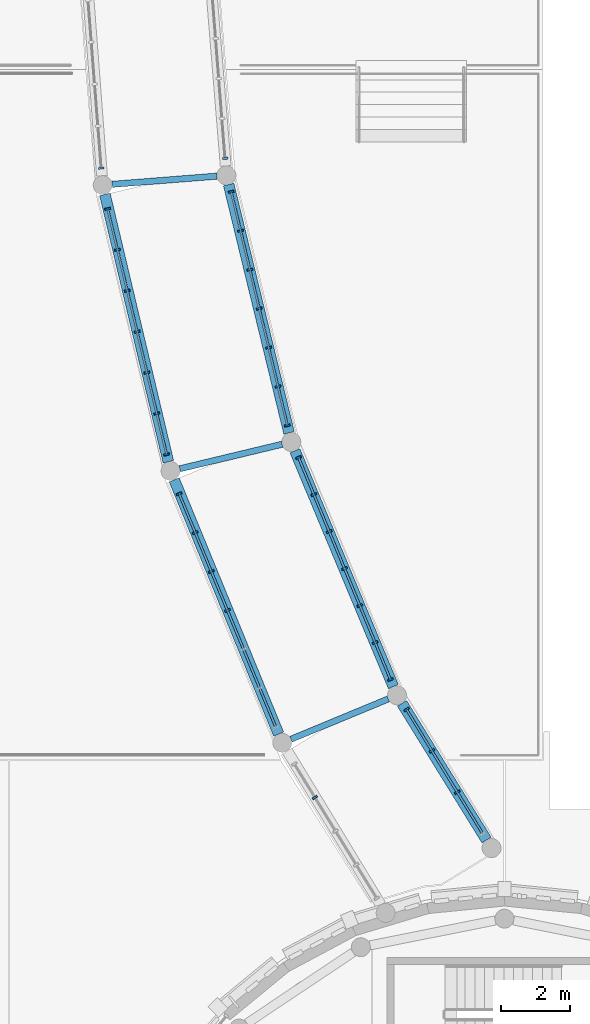
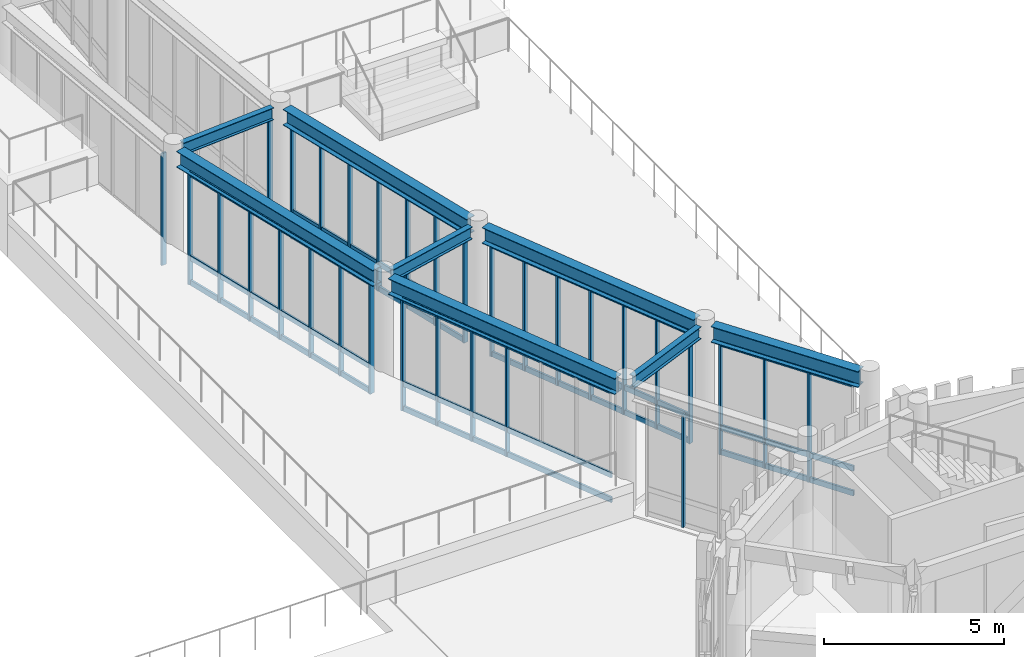
# One storey, part 27 of 94: 46 members, 8 beams, 8 elements without a shape of their own.
"""IFC4 building model written with IfcOpenShell, lengths in metres."""

from ifc_helpers import new_model, si_unit, direction, frame, origin, origin_2d, place, context, subcontext, project, spatial, rectangle, i_section, extrude, material, layer, layer_set, material_profile, profile_set, type_object, element, aggregate, save


model = new_model("IFC4")

# Units and contexts
model_context = context("Model", 3, precision=1e-05, world=origin(), true_north=direction((0.0, 1.0)))
body_context = subcontext(model_context, "Body", "Model", "MODEL_VIEW")
ifc_project = project(units=[si_unit("LENGTHUNIT", "METRE"), si_unit("AREAUNIT", "SQUARE_METRE"), si_unit("VOLUMEUNIT", "CUBIC_METRE"), si_unit("PLANEANGLEUNIT", "RADIAN"), si_unit("MASSUNIT", "GRAM", prefix="KILO")], contexts=[model_context])

# Site, building, storey
site_placement = place(None, origin())
site = spatial("IfcSite", under=ifc_project, at=site_placement, CompositionType="ELEMENT")
building_placement = place(site_placement, origin())
building = spatial("IfcBuilding", under=site, at=building_placement, Name="Aldenvaro Health Centre", CompositionType="ELEMENT")
storey_placement = place(building_placement, origin())
storey = spatial("IfcBuildingStorey", under=building, at=storey_placement, Name="L00", CompositionType="ELEMENT", Elevation=0.0)

# Beams
ifc_material_1 = material(Name="Steel ASTM A992 Grade 50", Category="steel")
ifc_material_profile_1 = material_profile(ifc_material_1, i_section(OverallWidth=0.180908203125, OverallDepth=0.4169921875, WebThickness=0.010986328125, FlangeThickness=0.018310546875, at=origin_2d()), Name="W16X57", Category="steel")
ifc_profile_set_1 = profile_set([ifc_material_profile_1], Name="Steel ASTM A992 Grade 50")
beam_type_1 = type_object("IfcBeamType", Name="BM-ST-W16E", PredefinedType="JOIST", material=ifc_profile_set_1)
beam_1_placement = place(storey_placement, frame((146.166015625, 50.906005859375, 4.135986328125), z_axis=(-0.996948526461, -0.078061742154, 0.0), x_axis=(0.078061742154, -0.996948526461, 0.0)))
element("IfcBeam", 1, at=beam_1_placement, inside=storey, type_object=beam_type_1, Name="East Curved Garden Colonnade Arc 5 L00 cross beam 2", PredefinedType="JOIST", context=body_context, shape_type="SweptSolid", body=[
    extrude(i_section(OverallWidth=0.180908203125, OverallDepth=0.4169921875, WebThickness=0.010986328125, FlangeThickness=0.018310546875, at=origin_2d()), origin(), (0.0, 0.0, 1.0), 3.04931640625),
])
beam_2_placement = place(storey_placement, frame((148.052978515625, 43.133056640625, 4.135986328125), z_axis=(-0.972364775804, -0.23346679159, 0.0), x_axis=(0.23346679159, -0.972364775804, 0.0)))
element("IfcBeam", 2, at=beam_2_placement, inside=storey, type_object=beam_type_1, Name="East Curved Garden Colonnade Arc 6 L00 cross beam 2", PredefinedType="JOIST", context=body_context, shape_type="SweptSolid", body=[
    extrude(i_section(OverallWidth=0.180908203125, OverallDepth=0.4169921875, WebThickness=0.010986328125, FlangeThickness=0.018310546875, at=origin_2d()), origin(), (0.0, 0.0, 1.0), 3.05029296875),
])
beam_3_placement = place(storey_placement, frame((151.131103515625, 35.7490234375, 4.135986328125), z_axis=(-0.923802186676, -0.382870108382, 0.0), x_axis=(0.382870108382, -0.923802186676, 0.0)))
element("IfcBeam", 3, at=beam_3_placement, inside=storey, type_object=beam_type_1, Name="East Curved Garden Colonnade Arc 7 L00 cross beam 2", PredefinedType="JOIST", context=body_context, shape_type="SweptSolid", body=[
    extrude(i_section(OverallWidth=0.180908203125, OverallDepth=0.4169921875, WebThickness=0.010986328125, FlangeThickness=0.018310546875, at=origin_2d()), origin(), (0.0, 0.0, 1.0), 3.050537109375),
])
ifc_material_profile_2 = material_profile(ifc_material_1, i_section(OverallWidth=0.31201171875, OverallDepth=0.54296875, WebThickness=0.0126953125, FlangeThickness=0.020263671875, at=origin_2d()), Name="W21X101", Category="steel")
ifc_profile_set_2 = profile_set([ifc_material_profile_2], Name="Steel ASTM A992 Grade 50")
beam_type_2 = type_object("IfcBeamType", Name="BM-ST-W21E", PredefinedType="BEAM", material=ifc_profile_set_2)
beam_4_placement = place(storey_placement, frame((146.5048828125, 50.660888671875, 4.073974609375), z_axis=(0.236279241617, -0.971685195925, 0.0), x_axis=(0.971685195925, 0.236279241617, 0.0)))
element("IfcBeam", 4, at=beam_4_placement, inside=storey, type_object=beam_type_2, Name="East Curved Garden Colonnade Arc 6 L00 girder L-1", PredefinedType="BEAM", context=body_context, shape_type="SweptSolid", body=[
    extrude(i_section(OverallWidth=0.31201171875, OverallDepth=0.54296875, WebThickness=0.0126953125, FlangeThickness=0.020263671875, at=origin_2d()), origin(), (0.0, 0.0, 1.0), 7.406494140625),
])
beam_5_placement = place(storey_placement, frame((142.916015625, 50.3779296875, 4.073974609375), z_axis=(0.230925962905, -0.972971325197, 0.0), x_axis=(0.972971325197, 0.230925962905, 0.0)))
element("IfcBeam", 5, at=beam_5_placement, inside=storey, type_object=beam_type_2, Name="East Curved Garden Colonnade Arc 6 L00 girder R-1", PredefinedType="BEAM", context=body_context, shape_type="SweptSolid", body=[
    extrude(i_section(OverallWidth=0.31201171875, OverallDepth=0.54296875, WebThickness=0.0126953125, FlangeThickness=0.020263671875, at=origin_2d()), origin(), (0.0, 0.0, 1.0), 7.96826171875),
])
beam_6_placement = place(storey_placement, frame((148.426025390625, 42.943115234375, 4.073974609375), z_axis=(0.385193411175, -0.922835866223, 0.0), x_axis=(0.922835866223, 0.385193411175, 0.0)))
element("IfcBeam", 6, at=beam_6_placement, inside=storey, type_object=beam_type_2, Name="East Curved Garden Colonnade Arc 7 L00 girder L-1", PredefinedType="BEAM", context=body_context, shape_type="SweptSolid", body=[
    extrude(i_section(OverallWidth=0.31201171875, OverallDepth=0.54296875, WebThickness=0.0126953125, FlangeThickness=0.020263671875, at=origin_2d()), origin(), (0.0, 0.0, 1.0), 7.40673828125),
])
beam_7_placement = place(storey_placement, frame((144.925048828125, 42.10302734375, 4.073974609375), z_axis=(0.380008707142, -0.9249829093, 0.0), x_axis=(0.9249829093, 0.380008707142, 0.0)))
element("IfcBeam", 7, at=beam_7_placement, inside=storey, type_object=beam_type_2, Name="East Curved Garden Colonnade Arc 7 L00 girder R-1", PredefinedType="BEAM", context=body_context, shape_type="SweptSolid", body=[
    extrude(i_section(OverallWidth=0.31201171875, OverallDepth=0.54296875, WebThickness=0.0126953125, FlangeThickness=0.020263671875, at=origin_2d()), origin(), (0.0, 0.0, 1.0), 7.970947265625),
])
beam_8_placement = place(storey_placement, frame((151.530029296875, 35.6201171875, 4.073974609375), z_axis=(0.526011708448, -0.850477326315, 0.0), x_axis=(0.850477326315, 0.526011708448, 0.0)))
element("IfcBeam", 8, at=beam_8_placement, inside=storey, type_object=beam_type_2, Name="East Curved Garden Colonnade Arc 8 L00 girder L-1", PredefinedType="BEAM", context=body_context, shape_type="SweptSolid", body=[
    extrude(i_section(OverallWidth=0.31201171875, OverallDepth=0.54296875, WebThickness=0.0126953125, FlangeThickness=0.020263671875, at=origin_2d()), origin(), (0.0, 0.0, 1.0), 4.65771484375),
])

# Curtain wall, member
ifc_material_2 = material(Name="Anodised Aluminium 6063-T6", Category="aluminium")
ifc_layer = layer(ifc_material_2, 0.2099609375, Name="Anodised Aluminium 6063-T6", Category="aluminium")
ifc_layer_set = layer_set([ifc_layer], Name="Anodised Aluminium 6063-T6")
curtain_wall_type = type_object("IfcCurtainWallType", Name="CW-BRG-03", PredefinedType="NOTDEFINED", material=ifc_layer_set)
curtain_wall_1_placement = place(storey_placement, origin())
curtain_wall_1 = element("IfcCurtainWall", 9, at=curtain_wall_1_placement, inside=storey, type_object=curtain_wall_type, Name="East Curved Garden Colonnade Arc 5 L00 glazed link wall L-1.1", PredefinedType="NOTDEFINED")
ifc_material_profile_3 = material_profile(ifc_material_2, rectangle(XDim=0.06005859375, YDim=0.159912109375, at=origin_2d()), Name="ALU 60x160", Category="aluminium")
ifc_profile_set_3 = profile_set([ifc_material_profile_3], Name="Anodised Aluminium 6063-T6")
member_type_1 = type_object("IfcMemberType", Name="CWM-180", PredefinedType="MULLION", material=ifc_profile_set_3)
member_1_placement = place(storey_placement, frame((146.402099609375, 51.4208984375, 0.0), z_axis=(0.0, 0.0, 1.0), x_axis=(0.078496068737, -0.996914423204, 0.0)))
member_1 = element("IfcMember", 10, at=member_1_placement, type_object=member_type_1, Name="East Curved Garden Colonnade Arc 5 L00 glazed link wall L-1.1 mullion 7", PredefinedType="MULLION", context=body_context, shape_type="SweptSolid", body=[
    extrude(rectangle(XDim=0.06005859375, YDim=0.159912109375, at=origin_2d()), origin(), (0.0, 0.0, 1.0), 3.804931640625),
])
aggregate(curtain_wall_1, [member_1])

curtain_wall_2_placement = place(storey_placement, origin())
curtain_wall_2 = element("IfcCurtainWall", 11, at=curtain_wall_2_placement, inside=storey, type_object=curtain_wall_type, Name="East Curved Garden Colonnade Arc 5 L00 glazed link wall R-1.1", PredefinedType="NOTDEFINED")
member_2_placement = place(storey_placement, frame((142.81298828125, 51.138916015625, 0.0), z_axis=(0.0, 0.0, 1.0), x_axis=(0.078513219666, -0.996913072608, 0.0)))
member_2 = element("IfcMember", 12, at=member_2_placement, type_object=member_type_1, Name="East Curved Garden Colonnade Arc 5 L00 glazed link wall R-1.1 mullion 7", PredefinedType="MULLION", context=body_context, shape_type="SweptSolid", body=[
    extrude(rectangle(XDim=0.06005859375, YDim=0.159912109375, at=origin_2d()), origin(), (0.0, 0.0, 1.0), 3.804931640625),
])
aggregate(curtain_wall_2, [member_2])

# Curtain wall, members
curtain_wall_3_placement = place(storey_placement, origin())
curtain_wall_3 = element("IfcCurtainWall", 13, at=curtain_wall_3_placement, inside=storey, type_object=curtain_wall_type, Name="East Curved Garden Colonnade Arc 6 L00 glazed link wall L-1.1", PredefinedType="NOTDEFINED")
member_3_placement = place(storey_placement, frame((146.576904296875, 50.452880859375, 0.0), z_axis=(0.0, 0.0, 1.0), x_axis=(0.233644343129, -0.972322128167, 0.0)))
member_3 = element("IfcMember", 14, at=member_3_placement, type_object=member_type_1, Name="East Curved Garden Colonnade Arc 6 L00 glazed link wall L-1.1 mullion 1", PredefinedType="MULLION", context=body_context, shape_type="SweptSolid", body=[
    extrude(rectangle(XDim=0.06005859375, YDim=0.159912109375, at=origin_2d()), origin(), (0.0, 0.0, 1.0), 3.804931640625),
])
member_4_placement = place(storey_placement, frame((146.847900390625, 49.323974609375, 0.0), z_axis=(0.0, 0.0, 1.0), x_axis=(0.233644343129, -0.972322128167, 0.0)))
member_4 = element("IfcMember", 15, at=member_4_placement, type_object=member_type_1, Name="East Curved Garden Colonnade Arc 6 L00 glazed link wall L-1.1 mullion 2", PredefinedType="MULLION", context=body_context, shape_type="SweptSolid", body=[
    extrude(rectangle(XDim=0.06005859375, YDim=0.159912109375, at=origin_2d()), origin(), (0.0, 0.0, 1.0), 3.804931640625),
])
member_5_placement = place(storey_placement, frame((147.1201171875, 48.195068359375, 0.0), z_axis=(0.0, 0.0, 1.0), x_axis=(0.233644343129, -0.972322128167, 0.0)))
member_5 = element("IfcMember", 16, at=member_5_placement, type_object=member_type_1, Name="East Curved Garden Colonnade Arc 6 L00 glazed link wall L-1.1 mullion 3", PredefinedType="MULLION", context=body_context, shape_type="SweptSolid", body=[
    extrude(rectangle(XDim=0.06005859375, YDim=0.159912109375, at=origin_2d()), origin(), (0.0, 0.0, 1.0), 3.804931640625),
])
member_6_placement = place(storey_placement, frame((147.39111328125, 47.06591796875, 0.0), z_axis=(0.0, 0.0, 1.0), x_axis=(0.233644343129, -0.972322128167, 0.0)))
member_6 = element("IfcMember", 17, at=member_6_placement, type_object=member_type_1, Name="East Curved Garden Colonnade Arc 6 L00 glazed link wall L-1.1 mullion 4", PredefinedType="MULLION", context=body_context, shape_type="SweptSolid", body=[
    extrude(rectangle(XDim=0.06005859375, YDim=0.159912109375, at=origin_2d()), origin(), (0.0, 0.0, 1.0), 3.804931640625),
])
member_7_placement = place(storey_placement, frame((147.662109375, 45.93603515625, 0.0), z_axis=(0.0, 0.0, 1.0), x_axis=(0.233644343129, -0.972322128167, 0.0)))
member_7 = element("IfcMember", 18, at=member_7_placement, type_object=member_type_1, Name="East Curved Garden Colonnade Arc 6 L00 glazed link wall L-1.1 mullion 5", PredefinedType="MULLION", context=body_context, shape_type="SweptSolid", body=[
    extrude(rectangle(XDim=0.06005859375, YDim=0.159912109375, at=origin_2d()), origin(), (0.0, 0.0, 1.0), 3.804931640625),
])
member_8_placement = place(storey_placement, frame((147.93408203125, 44.806884765625, 0.0), z_axis=(0.0, 0.0, 1.0), x_axis=(0.233644343129, -0.972322128167, 0.0)))
member_8 = element("IfcMember", 19, at=member_8_placement, type_object=member_type_1, Name="East Curved Garden Colonnade Arc 6 L00 glazed link wall L-1.1 mullion 6", PredefinedType="MULLION", context=body_context, shape_type="SweptSolid", body=[
    extrude(rectangle(XDim=0.06005859375, YDim=0.159912109375, at=origin_2d()), origin(), (0.0, 0.0, 1.0), 3.804931640625),
])
member_9_placement = place(storey_placement, frame((148.205078125, 43.677978515625, 0.0), z_axis=(0.0, 0.0, 1.0), x_axis=(0.233644343129, -0.972322128167, 0.0)))
member_9 = element("IfcMember", 20, at=member_9_placement, type_object=member_type_1, Name="East Curved Garden Colonnade Arc 6 L00 glazed link wall L-1.1 mullion 7", PredefinedType="MULLION", context=body_context, shape_type="SweptSolid", body=[
    extrude(rectangle(XDim=0.06005859375, YDim=0.159912109375, at=origin_2d()), origin(), (0.0, 0.0, 1.0), 3.804931640625),
])

curtain_wall_4_placement = place(storey_placement, origin())
curtain_wall_4 = element("IfcCurtainWall", 21, at=curtain_wall_4_placement, inside=storey, type_object=curtain_wall_type, Name="East Curved Garden Colonnade Arc 6 L00 glazed link wall R-1.1", PredefinedType="NOTDEFINED")
member_10_placement = place(storey_placement, frame((142.993896484375, 49.9580078125, 0.0), z_axis=(0.0, 0.0, 1.0), x_axis=(0.233527903395, -0.972350100702, 0.0)))
member_10 = element("IfcMember", 22, at=member_10_placement, type_object=member_type_1, Name="East Curved Garden Colonnade Arc 6 L00 glazed link wall R-1.1 mullion 1", PredefinedType="MULLION", context=body_context, shape_type="SweptSolid", body=[
    extrude(rectangle(XDim=0.06005859375, YDim=0.159912109375, at=origin_2d()), origin(), (0.0, 0.0, 1.0), 3.804931640625),
])
member_11_placement = place(storey_placement, frame((143.279052734375, 48.77099609375, 0.0), z_axis=(0.0, 0.0, 1.0), x_axis=(0.233527903395, -0.972350100702, 0.0)))
member_11 = element("IfcMember", 23, at=member_11_placement, type_object=member_type_1, Name="East Curved Garden Colonnade Arc 6 L00 glazed link wall R-1.1 mullion 2", PredefinedType="MULLION", context=body_context, shape_type="SweptSolid", body=[
    extrude(rectangle(XDim=0.06005859375, YDim=0.159912109375, at=origin_2d()), origin(), (0.0, 0.0, 1.0), 3.804931640625),
])
member_12_placement = place(storey_placement, frame((143.56396484375, 47.5849609375, 0.0), z_axis=(0.0, 0.0, 1.0), x_axis=(0.233527903395, -0.972350100702, 0.0)))
member_12 = element("IfcMember", 24, at=member_12_placement, type_object=member_type_1, Name="East Curved Garden Colonnade Arc 6 L00 glazed link wall R-1.1 mullion 3", PredefinedType="MULLION", context=body_context, shape_type="SweptSolid", body=[
    extrude(rectangle(XDim=0.06005859375, YDim=0.159912109375, at=origin_2d()), origin(), (0.0, 0.0, 1.0), 3.804931640625),
])
member_13_placement = place(storey_placement, frame((143.84912109375, 46.39794921875, 0.0), z_axis=(0.0, 0.0, 1.0), x_axis=(0.233527903395, -0.972350100702, 0.0)))
member_13 = element("IfcMember", 25, at=member_13_placement, type_object=member_type_1, Name="East Curved Garden Colonnade Arc 6 L00 glazed link wall R-1.1 mullion 4", PredefinedType="MULLION", context=body_context, shape_type="SweptSolid", body=[
    extrude(rectangle(XDim=0.06005859375, YDim=0.159912109375, at=origin_2d()), origin(), (0.0, 0.0, 1.0), 3.804931640625),
])
member_14_placement = place(storey_placement, frame((144.134033203125, 45.2109375, 0.0), z_axis=(0.0, 0.0, 1.0), x_axis=(0.233527903395, -0.972350100702, 0.0)))
member_14 = element("IfcMember", 26, at=member_14_placement, type_object=member_type_1, Name="East Curved Garden Colonnade Arc 6 L00 glazed link wall R-1.1 mullion 5", PredefinedType="MULLION", context=body_context, shape_type="SweptSolid", body=[
    extrude(rectangle(XDim=0.06005859375, YDim=0.159912109375, at=origin_2d()), origin(), (0.0, 0.0, 1.0), 3.804931640625),
])
member_15_placement = place(storey_placement, frame((144.4189453125, 44.02490234375, 0.0), z_axis=(0.0, 0.0, 1.0), x_axis=(0.233527903395, -0.972350100702, 0.0)))
member_15 = element("IfcMember", 27, at=member_15_placement, type_object=member_type_1, Name="East Curved Garden Colonnade Arc 6 L00 glazed link wall R-1.1 mullion 6", PredefinedType="MULLION", context=body_context, shape_type="SweptSolid", body=[
    extrude(rectangle(XDim=0.06005859375, YDim=0.159912109375, at=origin_2d()), origin(), (0.0, 0.0, 1.0), 3.804931640625),
])
member_16_placement = place(storey_placement, frame((144.7041015625, 42.837890625, 0.0), z_axis=(0.0, 0.0, 1.0), x_axis=(0.233527903395, -0.972350100702, 0.0)))
member_16 = element("IfcMember", 28, at=member_16_placement, type_object=member_type_1, Name="East Curved Garden Colonnade Arc 6 L00 glazed link wall R-1.1 mullion 7", PredefinedType="MULLION", context=body_context, shape_type="SweptSolid", body=[
    extrude(rectangle(XDim=0.06005859375, YDim=0.159912109375, at=origin_2d()), origin(), (0.0, 0.0, 1.0), 3.804931640625),
])

curtain_wall_5_placement = place(storey_placement, origin())
curtain_wall_5 = element("IfcCurtainWall", 29, at=curtain_wall_5_placement, inside=storey, type_object=curtain_wall_type, Name="East Curved Garden Colonnade Arc 7 L00 glazed link wall L-1.1", PredefinedType="NOTDEFINED")
member_17_placement = place(storey_placement, frame((148.530029296875, 42.7490234375, 0.0), z_axis=(0.0, 0.0, 1.0), x_axis=(0.382596838462, -0.923915396126, 0.0)))
member_17 = element("IfcMember", 30, at=member_17_placement, type_object=member_type_1, Name="East Curved Garden Colonnade Arc 7 L00 glazed link wall L-1.1 mullion 1", PredefinedType="MULLION", context=body_context, shape_type="SweptSolid", body=[
    extrude(rectangle(XDim=0.06005859375, YDim=0.159912109375, at=origin_2d()), origin(), (0.0, 0.0, 1.0), 3.804931640625),
])
member_18_placement = place(storey_placement, frame((148.97412109375, 41.676025390625, 0.0), z_axis=(0.0, 0.0, 1.0), x_axis=(0.382596838462, -0.923915396126, 0.0)))
member_18 = element("IfcMember", 31, at=member_18_placement, type_object=member_type_1, Name="East Curved Garden Colonnade Arc 7 L00 glazed link wall L-1.1 mullion 2", PredefinedType="MULLION", context=body_context, shape_type="SweptSolid", body=[
    extrude(rectangle(XDim=0.06005859375, YDim=0.159912109375, at=origin_2d()), origin(), (0.0, 0.0, 1.0), 3.804931640625),
])
member_19_placement = place(storey_placement, frame((149.4189453125, 40.60302734375, 0.0), z_axis=(0.0, 0.0, 1.0), x_axis=(0.382596838462, -0.923915396126, 0.0)))
member_19 = element("IfcMember", 32, at=member_19_placement, type_object=member_type_1, Name="East Curved Garden Colonnade Arc 7 L00 glazed link wall L-1.1 mullion 3", PredefinedType="MULLION", context=body_context, shape_type="SweptSolid", body=[
    extrude(rectangle(XDim=0.06005859375, YDim=0.159912109375, at=origin_2d()), origin(), (0.0, 0.0, 1.0), 3.804931640625),
])
member_20_placement = place(storey_placement, frame((149.863037109375, 39.530029296875, 0.0), z_axis=(0.0, 0.0, 1.0), x_axis=(0.382596838462, -0.923915396126, 0.0)))
member_20 = element("IfcMember", 33, at=member_20_placement, type_object=member_type_1, Name="East Curved Garden Colonnade Arc 7 L00 glazed link wall L-1.1 mullion 4", PredefinedType="MULLION", context=body_context, shape_type="SweptSolid", body=[
    extrude(rectangle(XDim=0.06005859375, YDim=0.159912109375, at=origin_2d()), origin(), (0.0, 0.0, 1.0), 3.804931640625),
])
member_21_placement = place(storey_placement, frame((150.306884765625, 38.45703125, 0.0), z_axis=(0.0, 0.0, 1.0), x_axis=(0.382596838462, -0.923915396126, 0.0)))
member_21 = element("IfcMember", 34, at=member_21_placement, type_object=member_type_1, Name="East Curved Garden Colonnade Arc 7 L00 glazed link wall L-1.1 mullion 5", PredefinedType="MULLION", context=body_context, shape_type="SweptSolid", body=[
    extrude(rectangle(XDim=0.06005859375, YDim=0.159912109375, at=origin_2d()), origin(), (0.0, 0.0, 1.0), 3.804931640625),
])
member_22_placement = place(storey_placement, frame((150.751953125, 37.384033203125, 0.0), z_axis=(0.0, 0.0, 1.0), x_axis=(0.382596838462, -0.923915396126, 0.0)))
member_22 = element("IfcMember", 35, at=member_22_placement, type_object=member_type_1, Name="East Curved Garden Colonnade Arc 7 L00 glazed link wall L-1.1 mullion 6", PredefinedType="MULLION", context=body_context, shape_type="SweptSolid", body=[
    extrude(rectangle(XDim=0.06005859375, YDim=0.159912109375, at=origin_2d()), origin(), (0.0, 0.0, 1.0), 3.804931640625),
])
member_23_placement = place(storey_placement, frame((151.196044921875, 36.31103515625, 0.0), z_axis=(0.0, 0.0, 1.0), x_axis=(0.382596838462, -0.923915396126, 0.0)))
member_23 = element("IfcMember", 36, at=member_23_placement, type_object=member_type_1, Name="East Curved Garden Colonnade Arc 7 L00 glazed link wall L-1.1 mullion 7", PredefinedType="MULLION", context=body_context, shape_type="SweptSolid", body=[
    extrude(rectangle(XDim=0.06005859375, YDim=0.159912109375, at=origin_2d()), origin(), (0.0, 0.0, 1.0), 3.804931640625),
])

curtain_wall_6_placement = place(storey_placement, origin())
curtain_wall_6 = element("IfcCurtainWall", 37, at=curtain_wall_6_placement, inside=storey, type_object=curtain_wall_type, Name="East Curved Garden Colonnade Arc 7 L00 glazed link wall R-1.1", PredefinedType="NOTDEFINED")
member_24_placement = place(storey_placement, frame((145.068115234375, 41.699951171875, 0.0), z_axis=(0.0, 0.0, 1.0), x_axis=(0.382568850779, -0.923926985434, 0.0)))
member_24 = element("IfcMember", 38, at=member_24_placement, type_object=member_type_1, Name="East Curved Garden Colonnade Arc 7 L00 glazed link wall R-1.1 mullion 1", PredefinedType="MULLION", context=body_context, shape_type="SweptSolid", body=[
    extrude(rectangle(XDim=0.06005859375, YDim=0.159912109375, at=origin_2d()), origin(), (0.0, 0.0, 1.0), 3.804931640625),
])
member_25_placement = place(storey_placement, frame((145.534912109375, 40.572021484375, 0.0), z_axis=(0.0, 0.0, 1.0), x_axis=(0.382568850779, -0.923926985434, 0.0)))
member_25 = element("IfcMember", 39, at=member_25_placement, type_object=member_type_1, Name="East Curved Garden Colonnade Arc 7 L00 glazed link wall R-1.1 mullion 2", PredefinedType="MULLION", context=body_context, shape_type="SweptSolid", body=[
    extrude(rectangle(XDim=0.06005859375, YDim=0.159912109375, at=origin_2d()), origin(), (0.0, 0.0, 1.0), 3.804931640625),
])
member_26_placement = place(storey_placement, frame((146.001953125, 39.444091796875, 0.0), z_axis=(0.0, 0.0, 1.0), x_axis=(0.382568850779, -0.923926985434, 0.0)))
member_26 = element("IfcMember", 40, at=member_26_placement, type_object=member_type_1, Name="East Curved Garden Colonnade Arc 7 L00 glazed link wall R-1.1 mullion 3", PredefinedType="MULLION", context=body_context, shape_type="SweptSolid", body=[
    extrude(rectangle(XDim=0.06005859375, YDim=0.159912109375, at=origin_2d()), origin(), (0.0, 0.0, 1.0), 3.804931640625),
])
member_27_placement = place(storey_placement, frame((146.468994140625, 38.31689453125, 0.0), z_axis=(0.0, 0.0, 1.0), x_axis=(0.382568850779, -0.923926985434, 0.0)))
member_27 = element("IfcMember", 41, at=member_27_placement, type_object=member_type_1, Name="East Curved Garden Colonnade Arc 7 L00 glazed link wall R-1.1 mullion 4", PredefinedType="MULLION", context=body_context, shape_type="SweptSolid", body=[
    extrude(rectangle(XDim=0.06005859375, YDim=0.159912109375, at=origin_2d()), origin(), (0.0, 0.0, 1.0), 3.804931640625),
])

curtain_wall_7_placement = place(storey_placement, origin())
curtain_wall_7 = element("IfcCurtainWall", 42, at=curtain_wall_7_placement, inside=storey, type_object=curtain_wall_type, Name="East Curved Garden Colonnade Arc 8 L00 glazed link wall L-1.1", PredefinedType="NOTDEFINED")
member_28_placement = place(storey_placement, frame((151.662109375, 35.444091796875, 0.0), z_axis=(0.0, 0.0, 1.0), x_axis=(0.522628751784, -0.852560371944, 0.0)))
member_28 = element("IfcMember", 43, at=member_28_placement, type_object=member_type_1, Name="East Curved Garden Colonnade Arc 8 L00 glazed link wall L-1.1 mullion 1", PredefinedType="MULLION", context=body_context, shape_type="SweptSolid", body=[
    extrude(rectangle(XDim=0.06005859375, YDim=0.159912109375, at=origin_2d()), origin(), (0.0, 0.0, 1.0), 3.804931640625),
])
member_29_placement = place(storey_placement, frame((152.39697265625, 34.2451171875, 0.0), z_axis=(0.0, 0.0, 1.0), x_axis=(0.522628751784, -0.852560371944, 0.0)))
member_29 = element("IfcMember", 44, at=member_29_placement, type_object=member_type_1, Name="East Curved Garden Colonnade Arc 8 L00 glazed link wall L-1.1 mullion 2", PredefinedType="MULLION", context=body_context, shape_type="SweptSolid", body=[
    extrude(rectangle(XDim=0.06005859375, YDim=0.159912109375, at=origin_2d()), origin(), (0.0, 0.0, 1.0), 3.804931640625),
])
member_30_placement = place(storey_placement, frame((153.132080078125, 33.0458984375, 0.0), z_axis=(0.0, 0.0, 1.0), x_axis=(0.522628751784, -0.852560371944, 0.0)))
member_30 = element("IfcMember", 45, at=member_30_placement, type_object=member_type_1, Name="East Curved Garden Colonnade Arc 8 L00 glazed link wall L-1.1 mullion 3", PredefinedType="MULLION", context=body_context, shape_type="SweptSolid", body=[
    extrude(rectangle(XDim=0.06005859375, YDim=0.159912109375, at=origin_2d()), origin(), (0.0, 0.0, 1.0), 3.804931640625),
])

# Curtain wall, member
curtain_wall_8_placement = place(storey_placement, origin())
curtain_wall_8 = element("IfcCurtainWall", 46, at=curtain_wall_8_placement, inside=storey, type_object=curtain_wall_type, Name="East Curved Garden Colonnade Arc 8 L00 glazed link wall R-1.1", PredefinedType="NOTDEFINED")
member_31_placement = place(storey_placement, frame((149.0048828125, 32.89111328125, 0.0), z_axis=(0.0, 0.0, 1.0), x_axis=(0.522669699607, -0.852535269131, 0.0)))
member_31 = element("IfcMember", 47, at=member_31_placement, type_object=member_type_1, Name="East Curved Garden Colonnade Arc 8 L00 glazed link wall R-1.1 mullion 2", PredefinedType="MULLION", context=body_context, shape_type="SweptSolid", body=[
    extrude(rectangle(XDim=0.06005859375, YDim=0.159912109375, at=origin_2d()), origin(), (0.0, 0.0, 1.0), 3.804931640625),
])
aggregate(curtain_wall_8, [member_31])

# Member
ifc_material_profile_4 = material_profile(ifc_material_2, rectangle(XDim=0.06494140625, YDim=0.179931640625, at=origin_2d()), Name="ALU 65x180", Category="aluminium")
ifc_profile_set_4 = profile_set([ifc_material_profile_4], Name="Anodised Aluminium 6063-T6")
member_type_2 = type_object("IfcMemberType", Name="CWT-150", PredefinedType="USERDEFINED", material=ifc_profile_set_4)
member_32_placement = place(storey_placement, frame((146.576904296875, 50.452880859375, 0.06005859375), z_axis=(0.233671112486, -0.972315695229, 0.0), x_axis=(0.972315695229, 0.233671112486, 0.0)))
member_32 = element("IfcMember", 48, at=member_32_placement, type_object=member_type_2, Name="East Curved Garden Colonnade Arc 6 L00 glazed link wall L-1.1 transom 1", ObjectType="TRANSOM", PredefinedType="USERDEFINED", context=body_context, shape_type="SweptSolid", body=[
    extrude(rectangle(XDim=0.06494140625, YDim=0.179931640625, at=origin_2d()), origin(), (0.0, 0.0, 1.0), 6.9677734375),
])

member_33_placement = place(storey_placement, frame((146.576904296875, 50.452880859375, 0.89990234375), z_axis=(0.233671112486, -0.972315695229, 0.0), x_axis=(0.972315695229, 0.233671112486, 0.0)))
member_33 = element("IfcMember", 49, at=member_33_placement, type_object=member_type_2, Name="East Curved Garden Colonnade Arc 6 L00 glazed link wall L-1.1 transom 2", ObjectType="TRANSOM", PredefinedType="USERDEFINED", context=body_context, shape_type="SweptSolid", body=[
    extrude(rectangle(XDim=0.06494140625, YDim=0.179931640625, at=origin_2d()), origin(), (0.0, 0.0, 1.0), 6.9677734375),
])

member_34_placement = place(storey_placement, frame((146.576904296875, 50.452880859375, 3.7451171875), z_axis=(0.233671112486, -0.972315695229, 0.0), x_axis=(0.972315695229, 0.233671112486, 0.0)))
member_34 = element("IfcMember", 50, at=member_34_placement, type_object=member_type_2, Name="East Curved Garden Colonnade Arc 6 L00 glazed link wall L-1.1 transom 3", ObjectType="TRANSOM", PredefinedType="USERDEFINED", context=body_context, shape_type="SweptSolid", body=[
    extrude(rectangle(XDim=0.06494140625, YDim=0.179931640625, at=origin_2d()), origin(), (0.0, 0.0, 1.0), 6.9677734375),
])

aggregate(curtain_wall_3, [member_3, member_4, member_5, member_6, member_7, member_8, member_9, member_32, member_33, member_34])

member_35_placement = place(storey_placement, frame((142.993896484375, 49.9580078125, 0.06005859375), z_axis=(0.233550748176, -0.972344613821, 0.0), x_axis=(0.972344613821, 0.233550748176, 0.0)))
member_35 = element("IfcMember", 51, at=member_35_placement, type_object=member_type_2, Name="East Curved Garden Colonnade Arc 6 L00 glazed link wall R-1.1 transom 1", ObjectType="TRANSOM", PredefinedType="USERDEFINED", context=body_context, shape_type="SweptSolid", body=[
    extrude(rectangle(XDim=0.06494140625, YDim=0.179931640625, at=origin_2d()), origin(), (0.0, 0.0, 1.0), 7.322509765625),
])

member_36_placement = place(storey_placement, frame((142.993896484375, 49.9580078125, 0.89990234375), z_axis=(0.233550748176, -0.972344613821, 0.0), x_axis=(0.972344613821, 0.233550748176, 0.0)))
member_36 = element("IfcMember", 52, at=member_36_placement, type_object=member_type_2, Name="East Curved Garden Colonnade Arc 6 L00 glazed link wall R-1.1 transom 2", ObjectType="TRANSOM", PredefinedType="USERDEFINED", context=body_context, shape_type="SweptSolid", body=[
    extrude(rectangle(XDim=0.06494140625, YDim=0.179931640625, at=origin_2d()), origin(), (0.0, 0.0, 1.0), 7.322509765625),
])

member_37_placement = place(storey_placement, frame((142.993896484375, 49.9580078125, 3.7451171875), z_axis=(0.233550748176, -0.972344613821, 0.0), x_axis=(0.972344613821, 0.233550748176, 0.0)))
member_37 = element("IfcMember", 53, at=member_37_placement, type_object=member_type_2, Name="East Curved Garden Colonnade Arc 6 L00 glazed link wall R-1.1 transom 3", ObjectType="TRANSOM", PredefinedType="USERDEFINED", context=body_context, shape_type="SweptSolid", body=[
    extrude(rectangle(XDim=0.06494140625, YDim=0.179931640625, at=origin_2d()), origin(), (0.0, 0.0, 1.0), 7.322509765625),
])

aggregate(curtain_wall_4, [member_10, member_11, member_12, member_13, member_14, member_15, member_16, member_35, member_36, member_37])

member_38_placement = place(storey_placement, frame((148.530029296875, 42.7490234375, 0.06005859375), z_axis=(0.382599347053, -0.923914357305, 0.0), x_axis=(0.923914357305, 0.382599347053, 0.0)))
member_38 = element("IfcMember", 54, at=member_38_placement, type_object=member_type_2, Name="East Curved Garden Colonnade Arc 7 L00 glazed link wall L-1.1 transom 1", ObjectType="TRANSOM", PredefinedType="USERDEFINED", context=body_context, shape_type="SweptSolid", body=[
    extrude(rectangle(XDim=0.06494140625, YDim=0.179931640625, at=origin_2d()), origin(), (0.0, 0.0, 1.0), 6.96826171875),
])

member_39_placement = place(storey_placement, frame((148.530029296875, 42.7490234375, 0.89990234375), z_axis=(0.382599347053, -0.923914357305, 0.0), x_axis=(0.923914357305, 0.382599347053, 0.0)))
member_39 = element("IfcMember", 55, at=member_39_placement, type_object=member_type_2, Name="East Curved Garden Colonnade Arc 7 L00 glazed link wall L-1.1 transom 2", ObjectType="TRANSOM", PredefinedType="USERDEFINED", context=body_context, shape_type="SweptSolid", body=[
    extrude(rectangle(XDim=0.06494140625, YDim=0.179931640625, at=origin_2d()), origin(), (0.0, 0.0, 1.0), 6.96826171875),
])

member_40_placement = place(storey_placement, frame((148.530029296875, 42.7490234375, 3.7451171875), z_axis=(0.382599347053, -0.923914357305, 0.0), x_axis=(0.923914357305, 0.382599347053, 0.0)))
member_40 = element("IfcMember", 56, at=member_40_placement, type_object=member_type_2, Name="East Curved Garden Colonnade Arc 7 L00 glazed link wall L-1.1 transom 3", ObjectType="TRANSOM", PredefinedType="USERDEFINED", context=body_context, shape_type="SweptSolid", body=[
    extrude(rectangle(XDim=0.06494140625, YDim=0.179931640625, at=origin_2d()), origin(), (0.0, 0.0, 1.0), 6.96826171875),
])

aggregate(curtain_wall_5, [member_17, member_18, member_19, member_20, member_21, member_22, member_23, member_38, member_39, member_40])

member_41_placement = place(storey_placement, frame((145.068115234375, 41.699951171875, 0.06005859375), z_axis=(0.382576524941, -0.92392380777, 0.0), x_axis=(0.92392380777, 0.382576524941, 0.0)))
member_41 = element("IfcMember", 57, at=member_41_placement, type_object=member_type_2, Name="East Curved Garden Colonnade Arc 7 L00 glazed link wall R-1.1 transom 1", ObjectType="TRANSOM", PredefinedType="USERDEFINED", context=body_context, shape_type="SweptSolid", body=[
    extrude(rectangle(XDim=0.06494140625, YDim=0.179931640625, at=origin_2d()), origin(), (0.0, 0.0, 1.0), 7.323974609375),
])

member_42_placement = place(storey_placement, frame((145.068115234375, 41.699951171875, 0.89990234375), z_axis=(0.382576524941, -0.92392380777, 0.0), x_axis=(0.92392380777, 0.382576524941, 0.0)))
member_42 = element("IfcMember", 58, at=member_42_placement, type_object=member_type_2, Name="East Curved Garden Colonnade Arc 7 L00 glazed link wall R-1.1 transom 2", ObjectType="TRANSOM", PredefinedType="USERDEFINED", context=body_context, shape_type="SweptSolid", body=[
    extrude(rectangle(XDim=0.06494140625, YDim=0.179931640625, at=origin_2d()), origin(), (0.0, 0.0, 1.0), 7.323974609375),
])

member_43_placement = place(storey_placement, frame((145.068115234375, 41.699951171875, 3.7451171875), z_axis=(0.382576524941, -0.92392380777, 0.0), x_axis=(0.92392380777, 0.382576524941, 0.0)))
member_43 = element("IfcMember", 59, at=member_43_placement, type_object=member_type_2, Name="East Curved Garden Colonnade Arc 7 L00 glazed link wall R-1.1 transom 3", ObjectType="TRANSOM", PredefinedType="USERDEFINED", context=body_context, shape_type="SweptSolid", body=[
    extrude(rectangle(XDim=0.06494140625, YDim=0.179931640625, at=origin_2d()), origin(), (0.0, 0.0, 1.0), 7.323974609375),
])

aggregate(curtain_wall_6, [member_24, member_25, member_26, member_27, member_41, member_42, member_43])

member_44_placement = place(storey_placement, frame((151.662109375, 35.444091796875, 0.06005859375), z_axis=(0.522582411343, -0.852588777404, 0.0), x_axis=(0.852588777404, 0.522582411343, 0.0)))
member_44 = element("IfcMember", 60, at=member_44_placement, type_object=member_type_2, Name="East Curved Garden Colonnade Arc 8 L00 glazed link wall L-1.1 transom 1", ObjectType="TRANSOM", PredefinedType="USERDEFINED", context=body_context, shape_type="SweptSolid", body=[
    extrude(rectangle(XDim=0.06494140625, YDim=0.179931640625, at=origin_2d()), origin(), (0.0, 0.0, 1.0), 4.218994140625),
])

member_45_placement = place(storey_placement, frame((151.662109375, 35.444091796875, 0.89990234375), z_axis=(0.522582411343, -0.852588777404, 0.0), x_axis=(0.852588777404, 0.522582411343, 0.0)))
member_45 = element("IfcMember", 61, at=member_45_placement, type_object=member_type_2, Name="East Curved Garden Colonnade Arc 8 L00 glazed link wall L-1.1 transom 2", ObjectType="TRANSOM", PredefinedType="USERDEFINED", context=body_context, shape_type="SweptSolid", body=[
    extrude(rectangle(XDim=0.06494140625, YDim=0.179931640625, at=origin_2d()), origin(), (0.0, 0.0, 1.0), 4.218994140625),
])

member_46_placement = place(storey_placement, frame((151.662109375, 35.444091796875, 3.7451171875), z_axis=(0.522582411343, -0.852588777404, 0.0), x_axis=(0.852588777404, 0.522582411343, 0.0)))
member_46 = element("IfcMember", 62, at=member_46_placement, type_object=member_type_2, Name="East Curved Garden Colonnade Arc 8 L00 glazed link wall L-1.1 transom 3", ObjectType="TRANSOM", PredefinedType="USERDEFINED", context=body_context, shape_type="SweptSolid", body=[
    extrude(rectangle(XDim=0.06494140625, YDim=0.179931640625, at=origin_2d()), origin(), (0.0, 0.0, 1.0), 4.218994140625),
])

aggregate(curtain_wall_7, [member_28, member_29, member_30, member_44, member_45, member_46])

save(model, "model.ifc")
